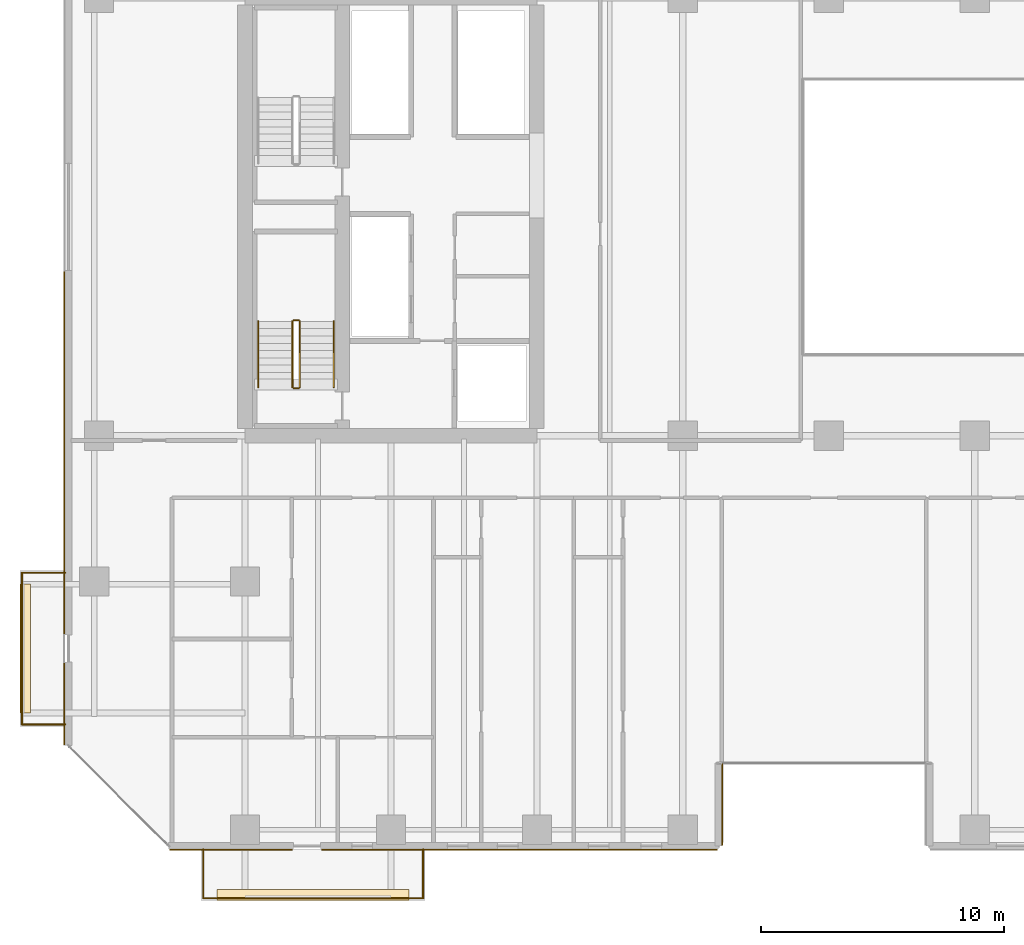
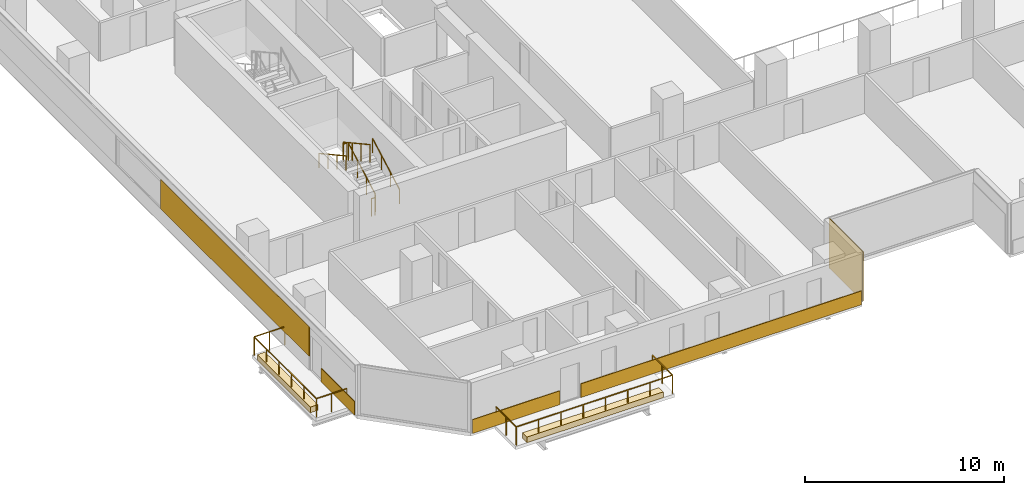
# One storey, part 25 of 33: 8 railings, 7 coverings.
"""IFC4 building model written with IfcOpenShell, lengths in metres."""

from ifc_helpers import new_model, si_unit, direction, frame, origin, origin_2d, place, context, subcontext, project, spatial, polyline, rectangle, outline, extrude, material, layer, layer_set, type_object, element, save


model = new_model("IFC4")

# Units and contexts
model_context = context("Model", 3, precision=1e-05, world=origin(), true_north=direction((0.0, 1.0)))
body_context = subcontext(model_context, "Body", "Model", "MODEL_VIEW")
ifc_project = project(units=[si_unit("LENGTHUNIT", "METRE"), si_unit("AREAUNIT", "SQUARE_METRE"), si_unit("VOLUMEUNIT", "CUBIC_METRE"), si_unit("PLANEANGLEUNIT", "RADIAN"), si_unit("MASSUNIT", "GRAM", prefix="KILO")], contexts=[model_context])

# Site, building, storey
site_placement = place(None, origin())
site = spatial("IfcSite", under=ifc_project, at=site_placement, CompositionType="ELEMENT")
building_placement = place(site_placement, origin())
building = spatial("IfcBuilding", under=site, at=building_placement, Name="Tanjung Sevakor Pilgrim Tower", CompositionType="ELEMENT")
storey_placement = place(building_placement, frame((0.0, 0.0, 38.93994140625)))
storey = spatial("IfcBuildingStorey", under=building, at=storey_placement, Name="L10", CompositionType="ELEMENT", Elevation=38.93994140625)

# Coverings
ifc_material_1 = material(Name="Reconstructed Limestone Cladding", Category="masonry")
ifc_layer_1 = layer(ifc_material_1, 0.044921875)
ifc_layer_set_1 = layer_set([ifc_layer_1], Name="COV-CLAD-LIMESTONE")
covering_type_1 = type_object("IfcCoveringType", Name="COV-CLAD-LIMESTONE", PredefinedType="CLADDING", material=ifc_layer_set_1)
covering_1_placement = place(storey_placement, frame((23.4189453125, 7.577392578125, 0.01025390625), z_axis=(0.0, 0.0, 1.0), x_axis=(1.0, 0.0, 0.0)))
element("IfcCovering", 1, at=covering_1_placement, inside=storey, type_object=covering_type_1, Name="L10 Warm Limestone Sill Spandrel EW-L10-MAIN-1-1", PredefinedType="CLADDING", context=body_context, shape_type="SweptSolid", body=[
    extrude(rectangle(XDim=5.0419921875, YDim=0.044921875, at=origin_2d()), origin(), (0.0, 0.0, 1.0), 0.840087890625),
])
covering_2_placement = place(storey_placement, frame((35.2900390625, 7.577392578125, 0.01025390625), z_axis=(0.0, 0.0, 1.0), x_axis=(1.0, 0.0, 0.0)))
element("IfcCovering", 2, at=covering_2_placement, inside=storey, type_object=covering_type_1, Name="L10 Warm Limestone Sill Spandrel EW-L10-MAIN-1-2", PredefinedType="CLADDING", context=body_context, shape_type="SweptSolid", body=[
    extrude(rectangle(XDim=16.260009765625, YDim=0.044921875, at=origin_2d()), origin(), (0.0, 0.0, 1.0), 0.840087890625),
])
covering_3_placement = place(storey_placement, frame((43.62255859375, 9.43994140625, 0.02001953125), z_axis=(0.0, 0.0, 1.0), x_axis=(0.0, 1.0, 0.0)))
element("IfcCovering", 3, at=covering_3_placement, inside=storey, type_object=covering_type_1, Name="L10 Warm Limestone Wall Cladding EW-L10-MAIN-2", PredefinedType="CLADDING", context=body_context, shape_type="SweptSolid", body=[
    extrude(rectangle(XDim=3.360107421875, YDim=0.044921875, at=origin_2d()), origin(), (0.0, 0.0, 1.0), 3.0400390625),
])
covering_4_placement = place(storey_placement, frame((16.577392578125, 13.569091796875, 0.01025390625), z_axis=(0.0, 0.0, 1.0), x_axis=(0.0, -1.0, 0.0)))
element("IfcCovering", 4, at=covering_4_placement, inside=storey, type_object=covering_type_1, Name="L10 Warm Limestone Sill Spandrel EW-L10-MAIN-15-2", PredefinedType="CLADDING", context=body_context, shape_type="SweptSolid", body=[
    extrude(rectangle(XDim=3.342041015625, YDim=0.044921875, at=origin_2d()), origin(), (0.0, 0.0, 1.0), 0.840087890625),
])
covering_5_placement = place(storey_placement, frame((16.577392578125, 23.89990234375, 0.85009765625), z_axis=(0.0, 0.0, 1.0), x_axis=(0.0, -1.0, 0.0)))
element("IfcCovering", 5, at=covering_5_placement, inside=storey, type_object=covering_type_1, Name="L10 Warm Limestone Pier Panel EW-L10-MAIN-15-2", PredefinedType="CLADDING", context=body_context, shape_type="SweptSolid", body=[
    extrude(rectangle(XDim=14.89990234375, YDim=0.044921875, at=origin_2d()), origin(), (0.0, 0.0, 1.0), 1.81005859375),
])
ifc_material_2 = material(Name="Vegetated Modular Planter Assembly", Category="organic")
ifc_layer_2 = layer(ifc_material_2, 0.35009765625)
ifc_layer_set_2 = layer_set([ifc_layer_2], Name="COV-GRN-TROUGH")
covering_type_2 = type_object("IfcCoveringType", Name="COV-GRN-TROUGH", PredefinedType="CLADDING", material=ifc_layer_set_2)
covering_6_placement = place(storey_placement, origin())
element("IfcCovering", 6, at=covering_6_placement, inside=storey, type_object=covering_type_2, Name="L10 Planted Landscape Hedge Trough BGRN-L10-MAIN-S1", PredefinedType="CLADDING", context=body_context, shape_type="SweptSolid", body=[
    extrude(outline(polyline([(22.85009765625, 5.5), (30.75, 5.5), (30.75, 5.93994140625), (22.85009765625, 5.93994140625), (22.85009765625, 5.5)])), origin(), (0.0, 0.0, 1.0), 0.35009765625),
])
covering_7_placement = place(storey_placement, origin())
element("IfcCovering", 7, at=covering_7_placement, inside=storey, type_object=covering_type_2, Name="L10 Planted Landscape Hedge Trough BGRN-L10-MAIN-W1", PredefinedType="CLADDING", context=body_context, shape_type="SweptSolid", body=[
    extrude(outline(polyline([(15.18994140625, 13.199951171875), (15.18994140625, 18.5), (14.75, 18.5), (14.75, 13.199951171875), (15.18994140625, 13.199951171875)])), origin(), (0.0, 0.0, 1.0), 0.35009765625),
])

# Railings
ifc_material_3 = material(Name="Laminated Glass and Aluminium", Category="aluminium")
railing_type_1 = type_object("IfcRailingType", Name="RL-BAL-BALUST", PredefinedType="BALUSTRADE", material=ifc_material_3)
railing_1_placement = place(storey_placement, frame((22.280029296875, 7.60009765625, 0.0)))
element("IfcRailing", 8, at=railing_1_placement, inside=storey, type_object=railing_type_1, Name="L10 Loggia Balustrade MAIN-S1", PredefinedType="BALUSTRADE", context=body_context, shape_type="SweptSolid", body=[
    extrude(rectangle(XDim=0.0479, YDim=0.0479), frame((0.0, 0.0, 1.1259765625), z_axis=(0.0, -1.0, 0.0), x_axis=(1.0, 0.0, 0.0)), (0.0, 0.0, 1.0), 2.02001953125),
    extrude(rectangle(XDim=0.0479, YDim=0.0479), frame((0.0, -2.02001953125, 1.1259765625), z_axis=(1.0, 0.0, 0.0), x_axis=(0.0, 1.0, 0.0)), (0.0, 0.0, 1.0), 9.0400390625),
    extrude(rectangle(XDim=0.0479, YDim=0.0479), frame((9.0400390625, -2.02001953125, 1.1259765625), z_axis=(0.0, 1.0, 0.0), x_axis=(-1.0, 0.0, 0.0)), (0.0, 0.0, 1.0), 2.02001953125),
    extrude(rectangle(XDim=0.042, YDim=0.042), origin(), (0.0, 0.0, 1.0), 1.101806640625),
    extrude(rectangle(XDim=0.042, YDim=0.042), frame((0.0, -1.010009765625, 0.0)), (0.0, 0.0, 1.0), 1.101806640625),
    extrude(rectangle(XDim=0.042, YDim=0.042), frame((0.0, -2.02001953125, 0.0)), (0.0, 0.0, 1.0), 1.101806640625),
    extrude(rectangle(XDim=0.042, YDim=0.042), frame((1.29150390625, -2.02001953125, 0.0)), (0.0, 0.0, 1.0), 1.101806640625),
    extrude(rectangle(XDim=0.042, YDim=0.042), frame((2.582763671875, -2.02001953125, 0.0)), (0.0, 0.0, 1.0), 1.101806640625),
    extrude(rectangle(XDim=0.042, YDim=0.042), frame((3.874267578125, -2.02001953125, 0.0)), (0.0, 0.0, 1.0), 1.101806640625),
    extrude(rectangle(XDim=0.042, YDim=0.042), frame((5.165771484375, -2.02001953125, 0.0)), (0.0, 0.0, 1.0), 1.101806640625),
    extrude(rectangle(XDim=0.042, YDim=0.042), frame((6.457275390625, -2.02001953125, 0.0)), (0.0, 0.0, 1.0), 1.101806640625),
    extrude(rectangle(XDim=0.042, YDim=0.042), frame((7.74853515625, -2.02001953125, 0.0)), (0.0, 0.0, 1.0), 1.101806640625),
    extrude(rectangle(XDim=0.042, YDim=0.042), frame((9.0400390625, -2.02001953125, 0.0)), (0.0, 0.0, 1.0), 1.101806640625),
    extrude(rectangle(XDim=0.042, YDim=0.042), frame((9.0400390625, -1.010009765625, 0.0)), (0.0, 0.0, 1.0), 1.101806640625),
    extrude(rectangle(XDim=0.042, YDim=0.042), frame((9.0400390625, 0.0, 0.0)), (0.0, 0.0, 1.0), 1.101806640625),
])
railing_2_placement = place(storey_placement, frame((16.60009765625, 12.72998046875, 0.0)))
element("IfcRailing", 9, at=railing_2_placement, inside=storey, type_object=railing_type_1, Name="L10 Loggia Balustrade MAIN-W1", PredefinedType="BALUSTRADE", context=body_context, shape_type="SweptSolid", body=[
    extrude(rectangle(XDim=0.0479, YDim=0.0479), frame((0.0, 0.0, 1.1259765625), z_axis=(-1.0, 0.0, 0.0), x_axis=(0.0, -1.0, 0.0)), (0.0, 0.0, 1.0), 1.77001953125),
    extrude(rectangle(XDim=0.0479, YDim=0.0479), frame((-1.77001953125, 0.0, 1.1259765625), z_axis=(0.0, 1.0, 0.0), x_axis=(-1.0, 0.0, 0.0)), (0.0, 0.0, 1.0), 6.239990234375),
    extrude(rectangle(XDim=0.0479, YDim=0.0479), frame((-1.77001953125, 6.239990234375, 1.1259765625), z_axis=(1.0, 0.0, 0.0), x_axis=(0.0, 1.0, 0.0)), (0.0, 0.0, 1.0), 1.77001953125),
    extrude(rectangle(XDim=0.042, YDim=0.042), origin(), (0.0, 0.0, 1.0), 1.101806640625),
    extrude(rectangle(XDim=0.042, YDim=0.042), frame((-0.885009765625, 0.0, 0.0)), (0.0, 0.0, 1.0), 1.101806640625),
    extrude(rectangle(XDim=0.042, YDim=0.042), frame((-1.77001953125, 0.0, 0.0)), (0.0, 0.0, 1.0), 1.101806640625),
    extrude(rectangle(XDim=0.042, YDim=0.042), frame((-1.77001953125, 1.248046875, 0.0)), (0.0, 0.0, 1.0), 1.101806640625),
    extrude(rectangle(XDim=0.042, YDim=0.042), frame((-1.77001953125, 2.49609375, 0.0)), (0.0, 0.0, 1.0), 1.101806640625),
    extrude(rectangle(XDim=0.042, YDim=0.042), frame((-1.77001953125, 3.743896484375, 0.0)), (0.0, 0.0, 1.0), 1.101806640625),
    extrude(rectangle(XDim=0.042, YDim=0.042), frame((-1.77001953125, 4.991943359375, 0.0)), (0.0, 0.0, 1.0), 1.101806640625),
    extrude(rectangle(XDim=0.042, YDim=0.042), frame((-1.77001953125, 6.239990234375, 0.0)), (0.0, 0.0, 1.0), 1.101806640625),
    extrude(rectangle(XDim=0.042, YDim=0.042), frame((-0.885009765625, 6.239990234375, 0.0)), (0.0, 0.0, 1.0), 1.101806640625),
    extrude(rectangle(XDim=0.042, YDim=0.042), frame((0.0, 6.239990234375, 0.0)), (0.0, 0.0, 1.0), 1.101806640625),
])
ifc_material_4 = material(Name="Steel S355J2", Category="steel")
railing_type_2 = type_object("IfcRailingType", Name="RL-STAIR-GUARD", PredefinedType="GUARDRAIL", material=ifc_material_4)
railing_3_placement = place(storey_placement, frame((26.25, 26.60009765625, 0.1650390625)))
element("IfcRailing", 10, at=railing_3_placement, inside=storey, type_object=railing_type_2, Name="L10 TS-W1 stair guard 1", PredefinedType="GUARDRAIL", context=body_context, shape_type="SweptSolid", body=[
    extrude(rectangle(XDim=0.0479, YDim=0.0479), frame((0.0, 0.0, 1.076171875), z_axis=(0.0, 0.876197507361, 0.481952205197), x_axis=(-1.0, 0.0, 0.0)), (0.0, 0.0, 1.0), 3.08154296875),
    extrude(rectangle(XDim=0.042, YDim=0.042), origin(), (0.0, 0.0, 1.0), 1.052001953125),
    extrude(rectangle(XDim=0.042, YDim=0.042), frame((0.0, 0.89990234375, 0.4951171875)), (0.0, 0.0, 1.0), 1.052001953125),
    extrude(rectangle(XDim=0.042, YDim=0.042), frame((0.0, 1.800048828125, 0.989990234375)), (0.0, 0.0, 1.0), 1.052001953125),
    extrude(rectangle(XDim=0.042, YDim=0.042), frame((0.0, 2.699951171875, 1.485107421875)), (0.0, 0.0, 1.0), 1.052001953125),
])
railing_4_placement = place(storey_placement, frame((26.199951171875, 29.35009765625, 1.650146484375)))
element("IfcRailing", 11, at=railing_4_placement, inside=storey, type_object=railing_type_2, Name="L10 TS-W1 stair guard 2", PredefinedType="GUARDRAIL", context=body_context, shape_type="SweptSolid", body=[
    extrude(rectangle(XDim=0.0479, YDim=0.0479), frame((0.0, 0.0, 1.076171875), z_axis=(-1.0, 0.0, 0.0), x_axis=(0.0, -1.0, 0.0)), (0.0, 0.0, 1.0), 0.199951171875),
    extrude(rectangle(XDim=0.042, YDim=0.042), origin(), (0.0, 0.0, 1.0), 1.052001953125),
    extrude(rectangle(XDim=0.042, YDim=0.042), frame((-0.199951171875, 0.0, 0.0)), (0.0, 0.0, 1.0), 1.052001953125),
])
railing_5_placement = place(storey_placement, frame((25.949951171875, 29.300048828125, 1.81494140625)))
element("IfcRailing", 12, at=railing_5_placement, inside=storey, type_object=railing_type_2, Name="L10 TS-W1 stair guard 3", PredefinedType="GUARDRAIL", context=body_context, shape_type="SweptSolid", body=[
    extrude(rectangle(XDim=0.0479, YDim=0.0479), frame((0.0, 0.0, 1.076171875), z_axis=(0.0, -0.876197507361, 0.481952205197), x_axis=(1.0, 0.0, 0.0)), (0.0, 0.0, 1.0), 3.08154296875),
    extrude(rectangle(XDim=0.042, YDim=0.042), origin(), (0.0, 0.0, 1.0), 1.052001953125),
    extrude(rectangle(XDim=0.042, YDim=0.042), frame((0.0, -0.89990234375, 0.4951171875)), (0.0, 0.0, 1.0), 1.052001953125),
    extrude(rectangle(XDim=0.042, YDim=0.042), frame((0.0, -1.800048828125, 0.989990234375)), (0.0, 0.0, 1.0), 1.052001953125),
    extrude(rectangle(XDim=0.042, YDim=0.042), frame((0.0, -2.699951171875, 1.485107421875)), (0.0, 0.0, 1.0), 1.052001953125),
])
railing_6_placement = place(storey_placement, frame((26.199951171875, 26.550048828125, 0.0)))
element("IfcRailing", 13, at=railing_6_placement, inside=storey, type_object=railing_type_2, Name="L10 TS-W1 stair guard 4", PredefinedType="GUARDRAIL", context=body_context, shape_type="SweptSolid", body=[
    extrude(rectangle(XDim=0.0479, YDim=0.0479), frame((0.0, 0.0, 1.076171875), z_axis=(-1.0, 0.0, 0.0), x_axis=(0.0, -1.0, 0.0)), (0.0, 0.0, 1.0), 0.199951171875),
    extrude(rectangle(XDim=0.042, YDim=0.042), origin(), (0.0, 0.0, 1.0), 1.052001953125),
    extrude(rectangle(XDim=0.042, YDim=0.042), frame((-0.199951171875, 0.0, 0.0)), (0.0, 0.0, 1.0), 1.052001953125),
])
ifc_material_5 = material(Name="Steel S355J2", Category="steel")
railing_type_3 = type_object("IfcRailingType", Name="RL-STAIR-HAND", PredefinedType="HANDRAIL", material=ifc_material_5)
railing_7_placement = place(storey_placement, frame((27.64990234375, 26.60009765625, 0.1650390625)))
element("IfcRailing", 14, at=railing_7_placement, inside=storey, type_object=railing_type_3, Name="L10 TS-W1 stair handrail 1", PredefinedType="HANDRAIL", context=body_context, shape_type="SweptSolid", body=[
    extrude(rectangle(XDim=0.0479, YDim=0.0479), frame((0.0, 0.0, 0.8759765625), z_axis=(0.0, 0.876197507361, 0.481952205197), x_axis=(-1.0, 0.0, 0.0)), (0.0, 0.0, 1.0), 3.08154296875),
    extrude(rectangle(XDim=0.042, YDim=0.042), origin(), (0.0, 0.0, 1.0), 0.851806640625),
    extrude(rectangle(XDim=0.042, YDim=0.042), frame((0.0, 0.89990234375, 0.4951171875)), (0.0, 0.0, 1.0), 0.851806640625),
    extrude(rectangle(XDim=0.042, YDim=0.042), frame((0.0, 1.800048828125, 0.989990234375)), (0.0, 0.0, 1.0), 0.851806640625),
    extrude(rectangle(XDim=0.042, YDim=0.042), frame((0.0, 2.699951171875, 1.485107421875)), (0.0, 0.0, 1.0), 0.851806640625),
])
railing_8_placement = place(storey_placement, frame((24.550048828125, 29.300048828125, 1.81494140625)))
element("IfcRailing", 15, at=railing_8_placement, inside=storey, type_object=railing_type_3, Name="L10 TS-W1 stair handrail 2", PredefinedType="HANDRAIL", context=body_context, shape_type="SweptSolid", body=[
    extrude(rectangle(XDim=0.0479, YDim=0.0479), frame((0.0, 0.0, 0.8759765625), z_axis=(0.0, -0.876197507361, 0.481952205197), x_axis=(1.0, 0.0, 0.0)), (0.0, 0.0, 1.0), 3.08154296875),
    extrude(rectangle(XDim=0.042, YDim=0.042), origin(), (0.0, 0.0, 1.0), 0.851806640625),
    extrude(rectangle(XDim=0.042, YDim=0.042), frame((0.0, -0.89990234375, 0.4951171875)), (0.0, 0.0, 1.0), 0.851806640625),
    extrude(rectangle(XDim=0.042, YDim=0.042), frame((0.0, -1.800048828125, 0.989990234375)), (0.0, 0.0, 1.0), 0.851806640625),
    extrude(rectangle(XDim=0.042, YDim=0.042), frame((0.0, -2.699951171875, 1.485107421875)), (0.0, 0.0, 1.0), 0.851806640625),
])

save(model, "model.ifc")
